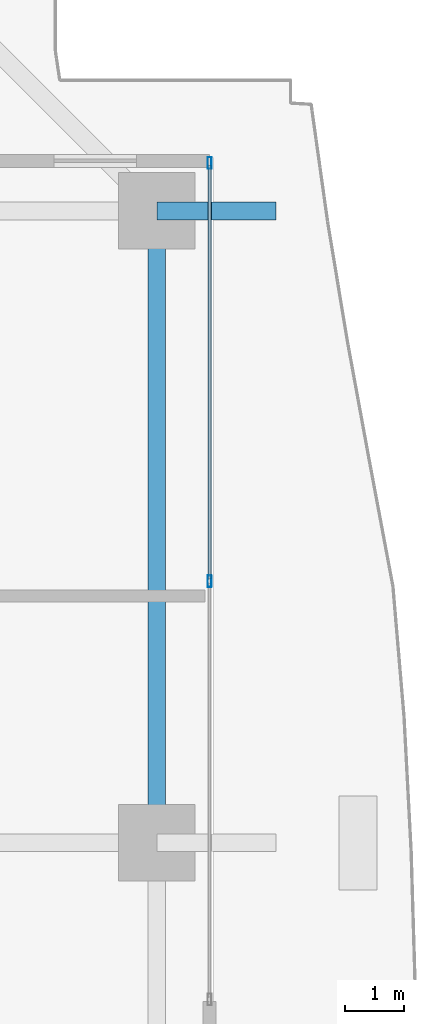
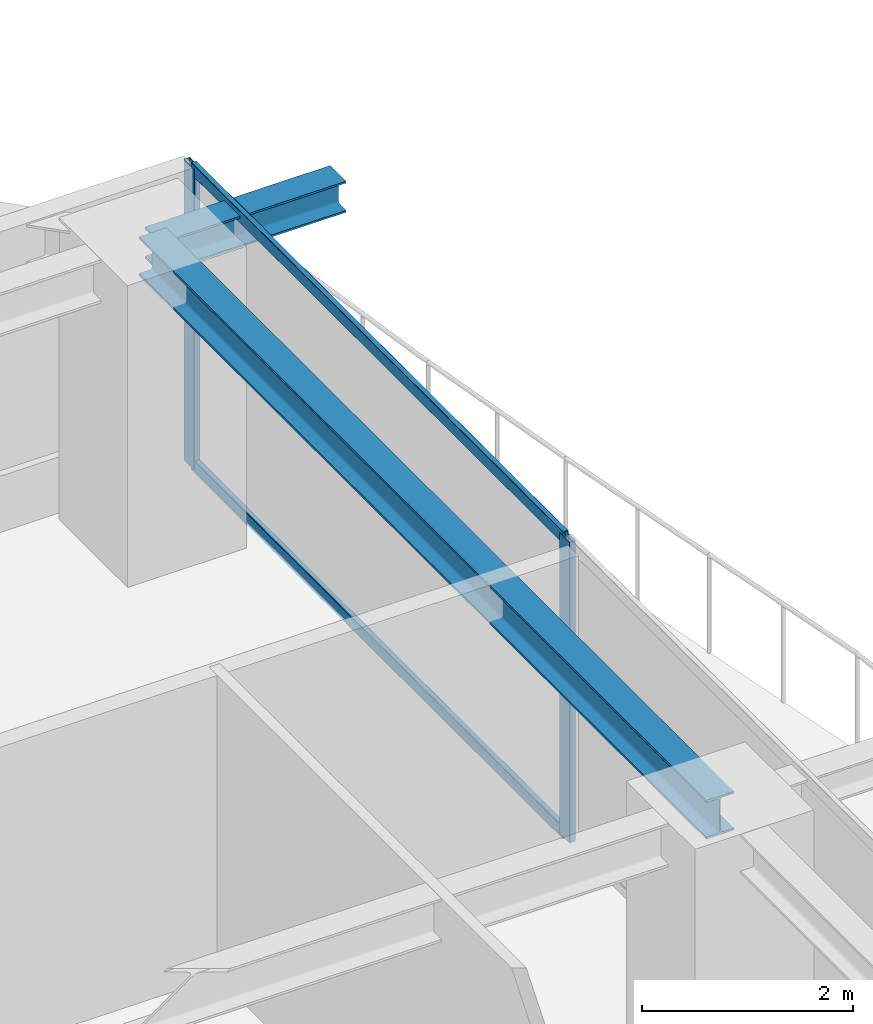
# One storey, part 22 of 34: 4 members, 2 beams, 1 element without a shape of its own.
"""IFC4 building model written with IfcOpenShell, lengths in metres."""

from ifc_helpers import new_model, si_unit, direction, frame, origin, origin_2d, place, context, subcontext, project, spatial, hollow_rectangle, i_section, extrude, source, transform, mapped, material, layer, layer_set, material_profile, profile_set, type_object, element, aggregate, save


model = new_model("IFC4")

# Units and contexts
model_context = context("Model", 3, precision=1e-05, world=origin(), true_north=direction((0.0, 1.0)))
body_context = subcontext(model_context, "Body", "Model", "MODEL_VIEW")
ifc_project = project(units=[si_unit("LENGTHUNIT", "METRE"), si_unit("AREAUNIT", "SQUARE_METRE"), si_unit("VOLUMEUNIT", "CUBIC_METRE"), si_unit("PLANEANGLEUNIT", "RADIAN"), si_unit("MASSUNIT", "GRAM", prefix="KILO")], contexts=[model_context])

# Site, building, storey
site_placement = place(None, origin())
site = spatial("IfcSite", under=ifc_project, at=site_placement, CompositionType="ELEMENT")
building_placement = place(site_placement, origin())
building = spatial("IfcBuilding", under=site, at=building_placement, Name="Serunith Strait Residences", CompositionType="ELEMENT")
storey_placement = place(building_placement, frame((0.0, 0.0, 135.14990234375)))
storey = spatial("IfcBuildingStorey", under=building, at=storey_placement, Name="L33", CompositionType="ELEMENT", Elevation=135.14990234375)

# Beams
ifc_material_1 = material(Name="Steel S355J2", Category="steel")
ifc_material_profile_1 = material_profile(ifc_material_1, i_section(OverallWidth=0.300048828125, OverallDepth=0.449951171875, WebThickness=0.013916015625, FlangeThickness=0.02587890625, FilletRadius=0.027099609375, at=origin_2d()), Name="HEB 450")
ifc_profile_set_1 = profile_set([ifc_material_profile_1], Name="Steel S355J2")
beam_type_1 = type_object("IfcBeamType", Name="BM-HEB450", PredefinedType="BEAM", material=ifc_profile_set_1)
shared_shape_1 = source(origin(), body_context, "Body", "SweptSolid", [
    extrude(i_section(OverallWidth=0.300048828125, OverallDepth=0.449951171875, WebThickness=0.013916015625, FlangeThickness=0.02587890625, FilletRadius=0.027099609375, at=origin_2d()), origin(), (0.0, 0.0, 1.0), 10.75),
])
beam_1_placement = place(storey_placement, frame((56.10009765625, 29.39990234375, 3.26220703125), z_axis=(0.0, 1.0, 0.0), x_axis=(-1.0, 0.0, 0.0)))
element("IfcBeam", 1, at=beam_1_placement, inside=storey, type_object=beam_type_1, Name="L33 Perimeter Ring Beam 07", PredefinedType="BEAM", context=body_context, shape_type="MappedRepresentation", body=[
    mapped(shared_shape_1, transform((0.0, 0.0, 0.0), scale=1.0)),
])
ifc_material_profile_2 = material_profile(ifc_material_1, i_section(OverallWidth=0.300048828125, OverallDepth=0.360107421875, WebThickness=0.012451171875, FlangeThickness=0.0224609375, FilletRadius=0.027099609375, at=origin_2d()), Name="HEB 360")
ifc_profile_set_2 = profile_set([ifc_material_profile_2], Name="Steel S355J2")
beam_type_2 = type_object("IfcBeamType", Name="BM-HEB360", PredefinedType="BEAM", material=ifc_profile_set_2)
shared_shape_2 = source(origin(), body_context, "Body", "SweptSolid", [
    extrude(i_section(OverallWidth=0.300048828125, OverallDepth=0.360107421875, WebThickness=0.012451171875, FlangeThickness=0.0224609375, FilletRadius=0.027099609375, at=origin_2d()), origin(), (0.0, 0.0, 1.0), 2.02978515625),
])
beam_2_placement = place(storey_placement, frame((56.10009765625, 40.14990234375, 3.277099609375), z_axis=(1.0, 0.0, 0.0), x_axis=(0.0, 1.0, 0.0)))
element("IfcBeam", 2, at=beam_2_placement, inside=storey, type_object=beam_type_2, Name="L34 Cantilevered Balcony Rib TC-E4", PredefinedType="BEAM", context=body_context, shape_type="MappedRepresentation", body=[
    mapped(shared_shape_2, transform((0.0, 0.0, 0.0), scale=1.0)),
])

# Curtain wall, members
ifc_material_2 = material(Name="Pale-Champagne Anodised Aluminium", Category="aluminium")
ifc_layer = layer(ifc_material_2, 0.199951171875, Name="Pale-Champagne Anodised Aluminium")
ifc_layer_set = layer_set([ifc_layer], Name="Pale-Champagne Anodised Aluminium")
curtain_wall_type = type_object("IfcCurtainWallType", Name="CW-SYS2", PredefinedType="NOTDEFINED", material=ifc_layer_set)
curtain_wall_placement = place(storey_placement, origin())
curtain_wall = element("IfcCurtainWall", 3, at=curtain_wall_placement, inside=storey, type_object=curtain_wall_type, Name="L33 E Unitised Fritted Curtain Wall", PredefinedType="NOTDEFINED")
ifc_material_profile_3 = material_profile(ifc_material_2, hollow_rectangle(XDim=0.070068359375, YDim=0.199951171875, WallThickness=0.00390625, InnerFilletRadius=0.006103515625, OuterFilletRadius=0.010009765625, at=origin_2d()), Name="ALU 200x70x4")
ifc_profile_set_3 = profile_set([ifc_material_profile_3], Name="Pale-Champagne Anodised Aluminium")
member_type_1 = type_object("IfcMemberType", Name="CW-SYS2-MULL", PredefinedType="MULLION", material=ifc_profile_set_3)
shared_shape_3 = source(origin(), body_context, "Body", "SweptSolid", [
    extrude(hollow_rectangle(XDim=0.070068359375, YDim=0.199951171875, WallThickness=0.00390625, InnerFilletRadius=0.006103515625, OuterFilletRadius=0.010009765625, at=origin_2d()), origin(), (0.0, 0.0, 1.0), 3.47509765625),
])
member_1_placement = place(storey_placement, frame((57.0, 33.85009765625, 0.0), z_axis=(0.0, 0.0, 1.0), x_axis=(-1.0, 0.0, 0.0)))
member_1 = element("IfcMember", 4, at=member_1_placement, type_object=member_type_1, Name="CW-2 mullion 2", PredefinedType="MULLION", context=body_context, shape_type="MappedRepresentation", body=[
    mapped(shared_shape_3, transform((0.0, 0.0, 0.0), scale=1.0)),
])
member_2_placement = place(storey_placement, frame((57.0, 40.965087890625, 0.0), z_axis=(0.0, 0.0, 1.0), x_axis=(-1.0, 0.0, 0.0)))
member_2 = element("IfcMember", 5, at=member_2_placement, type_object=member_type_1, Name="CW-2 mullion 3", PredefinedType="MULLION", context=body_context, shape_type="MappedRepresentation", body=[
    mapped(shared_shape_3, transform((0.0, 0.0, 0.0), scale=1.0)),
])
ifc_material_profile_4 = material_profile(ifc_material_2, hollow_rectangle(XDim=0.06005859375, YDim=0.139892578125, WallThickness=0.00341796875, InnerFilletRadius=0.00537109375, OuterFilletRadius=0.0087890625, at=origin_2d()), Name="ALU 140x60x3.5")
ifc_profile_set_4 = profile_set([ifc_material_profile_4], Name="Pale-Champagne Anodised Aluminium")
member_type_2 = type_object("IfcMemberType", Name="CW-SYS2-TRAN", PredefinedType="USERDEFINED", material=ifc_profile_set_4)
shared_shape_4 = source(origin(), body_context, "Body", "SweptSolid", [
    extrude(hollow_rectangle(XDim=0.06005859375, YDim=0.139892578125, WallThickness=0.00341796875, InnerFilletRadius=0.00537109375, OuterFilletRadius=0.0087890625, at=origin_2d()), origin(), (0.0, 0.0, 1.0), 7.044921875),
])
member_3_placement = place(storey_placement, frame((57.0, 33.885009765625, 0.030029296875), z_axis=(0.0, 1.0, 0.0), x_axis=(-1.0, 0.0, 0.0)))
member_3 = element("IfcMember", 6, at=member_3_placement, type_object=member_type_2, Name="CW-2 transom 2.1", ObjectType="TRANSOM", PredefinedType="USERDEFINED", context=body_context, shape_type="MappedRepresentation", body=[
    mapped(shared_shape_4, transform((0.0, 0.0, 0.0), scale=1.0)),
])
member_4_placement = place(storey_placement, frame((57.0, 33.885009765625, 3.445068359375), z_axis=(0.0, 1.0, 0.0), x_axis=(-1.0, 0.0, 0.0)))
member_4 = element("IfcMember", 7, at=member_4_placement, type_object=member_type_2, Name="CW-2 transom 2.2", ObjectType="TRANSOM", PredefinedType="USERDEFINED", context=body_context, shape_type="MappedRepresentation", body=[
    mapped(shared_shape_4, transform((0.0, 0.0, 0.0), scale=1.0)),
])
aggregate(curtain_wall, [member_1, member_2, member_3, member_4])

save(model, "model.ifc")
